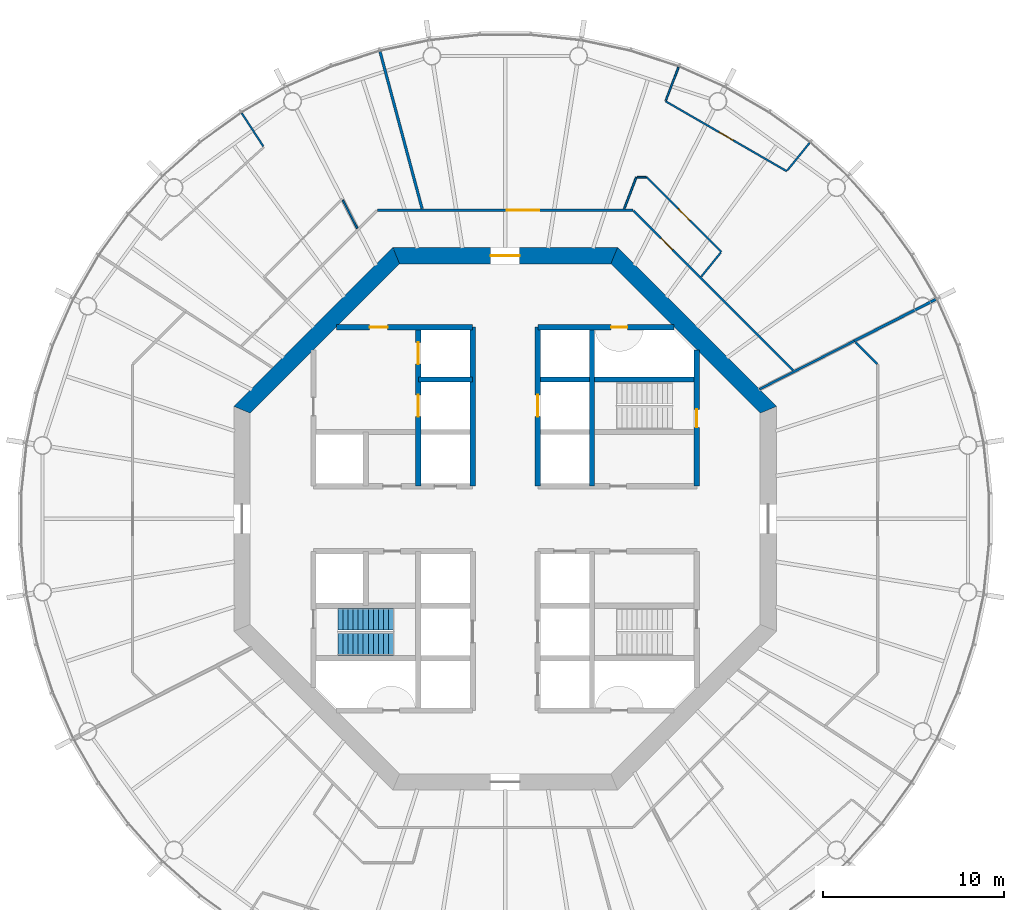
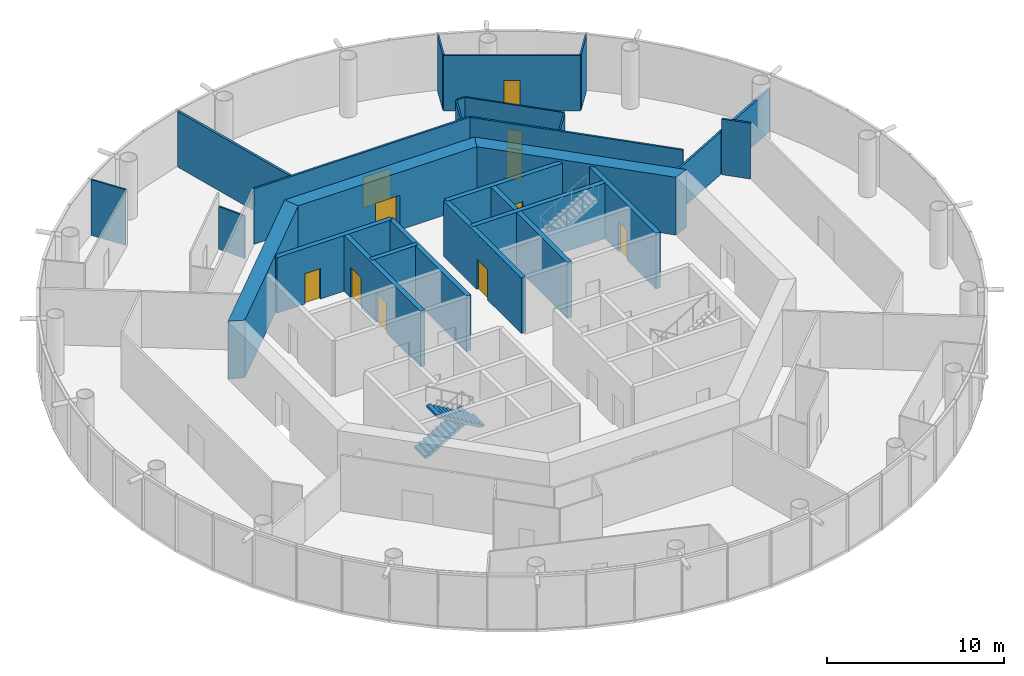
# One storey, part 5 of 13: 27 walls, 11 doors, 2 stair flights, 11 openings, 1 element without a shape of its own.
"""IFC4 building model written with IfcOpenShell, lengths in metres."""

from ifc_helpers import new_model, si_unit, direction, frame, frame_2d, origin, place, context, subcontext, project, spatial, polyline, rectangle, outline, extrude, material, layer, layer_set, type_object, element, fill, aggregate, save


model = new_model("IFC4")

# Units and contexts
model_context = context("Model", 3, precision=1e-05, world=origin(), true_north=direction((0.0, 1.0)))
body_context = subcontext(model_context, "Body", "Model", "MODEL_VIEW")
ifc_project = project(units=[si_unit("LENGTHUNIT", "METRE"), si_unit("AREAUNIT", "SQUARE_METRE"), si_unit("VOLUMEUNIT", "CUBIC_METRE"), si_unit("PLANEANGLEUNIT", "RADIAN"), si_unit("MASSUNIT", "GRAM", prefix="KILO")], contexts=[model_context])

# Site, building, storey
site_placement = place(None, origin())
site = spatial("IfcSite", under=ifc_project, at=site_placement, CompositionType="ELEMENT")
building_placement = place(site_placement, origin())
building = spatial("IfcBuilding", under=site, at=building_placement, Name="Entoto Ring Tower", CompositionType="ELEMENT")
storey_placement = place(building_placement, frame((0.0, 0.0, 226.0)))
storey = spatial("IfcBuildingStorey", under=building, at=storey_placement, Name="L52", CompositionType="ELEMENT", Elevation=226.0)

# Wall, opening, door
ifc_material_1 = material(Name="Concrete C40/50", Category="concrete")
ifc_layer_1 = layer(ifc_material_1, 0.300048828125)
ifc_layer_set_1 = layer_set([ifc_layer_1], Name="Concrete C40/50")
wall_type_1 = type_object("IfcWallType", Name="Core enclosure wall 300 mm reinforced concrete", PredefinedType="SOLIDWALL", material=ifc_layer_set_1)
wall_1_placement = place(storey_placement, frame((100.60009765625, 81.800048828125, 0.0), z_axis=(0.0, 0.0, 1.0), x_axis=(0.0, 1.0, 0.0)))
wall_1 = element("IfcWall", 1, at=wall_1_placement, inside=storey, type_object=wall_type_1, Name="wall-L52-002", PredefinedType="SOLIDWALL", context=body_context, shape_type="SweptSolid", body=[
    extrude(rectangle(XDim=7.540283203125, YDim=0.300048828125, at=frame_2d((3.77001953125, 0.0))), origin(), (0.0, 0.0, 1.0), 3.85009765625),
])
opening_1_placement = place(wall_1_placement, frame((3.25, 0.0, 0.0)))
opening_1 = element("IfcOpeningElement", 2, at=opening_1_placement, cuts=wall_1, Name="Opening K-52", PredefinedType="OPENING", context=body_context, shape_type="SweptSolid", body=[
    extrude(rectangle(XDim=1.0, YDim=2.10009765625, at=frame_2d((0.5, 1.050048828125))), frame((0.0, 0.16015625, 0.0), z_axis=(0.0, -1.0, 0.0), x_axis=(1.0, 0.0, 0.0)), (0.0, 0.0, 1.0), 0.320068359375),
])
ifc_material_2 = material(Name="Steel door leaf, fire rated", Category="steel")
ifc_layer_2 = layer(ifc_material_2, 0.050048828125)
ifc_layer_set_2 = layer_set([ifc_layer_2], Name="Steel door leaf, fire rated")
door_type_1 = type_object("IfcDoorType", Name="Fire door FD60 1000 x 2100 single leaf", OperationType="NOTDEFINED", PredefinedType="DOOR", material=ifc_layer_set_2)
door_1_placement = place(opening_1_placement, origin())
door_1 = element("IfcDoor", 3, at=door_1_placement, inside=storey, type_object=door_type_1, Name="Door K-52", OperationType="SINGLE_SWING_LEFT", OverallHeight=2.10009765625, OverallWidth=1.0, PredefinedType="DOOR", context=body_context, shape_type="SweptSolid", body=[
    extrude(rectangle(XDim=1.0, YDim=2.10009765625, at=frame_2d((0.5, 1.050048828125))), frame((0.0, 0.02490234375, 0.0), z_axis=(0.0, -1.0, 0.0), x_axis=(1.0, 0.0, 0.0)), (0.0, 0.0, 1.0), 0.050048828125),
])
fill(opening_1, door_1)

# Wall
wall_2_placement = place(storey_placement, frame((94.800048828125, 81.800048828125, 0.0), z_axis=(0.0, 0.0, 1.0), x_axis=(0.0, 1.0, 0.0)))
element("IfcWall", 4, at=wall_2_placement, inside=storey, type_object=wall_type_1, Name="wall-L52-004", PredefinedType="SOLIDWALL", context=body_context, shape_type="SweptSolid", body=[
    extrude(rectangle(XDim=8.800048828125, YDim=0.300048828125, at=frame_2d((4.39990234375, 0.0))), origin(), (0.0, 0.0, 1.0), 3.85009765625),
])

# Wall, opening, door
wall_3_placement = place(storey_placement, frame((91.800048828125, 81.800048828125, 0.0), z_axis=(0.0, 0.0, 1.0), x_axis=(0.0, 1.0, 0.0)))
wall_3 = element("IfcWall", 5, at=wall_3_placement, inside=storey, type_object=wall_type_1, Name="wall-L52-006", PredefinedType="SOLIDWALL", context=body_context, shape_type="SweptSolid", body=[
    extrude(rectangle(XDim=8.800048828125, YDim=0.300048828125, at=frame_2d((4.39990234375, 0.0))), origin(), (0.0, 0.0, 1.0), 3.85009765625),
])
opening_2_placement = place(wall_3_placement, frame((3.85009765625, 0.0, 0.0)))
opening_2 = element("IfcOpeningElement", 6, at=opening_2_placement, cuts=wall_3, Name="Opening LD", PredefinedType="OPENING", context=body_context, shape_type="SweptSolid", body=[
    extrude(rectangle(XDim=1.199951171875, YDim=2.10009765625, at=frame_2d((0.60009765625, 1.050048828125))), frame((0.0, 0.16015625, 0.0), z_axis=(0.0, -1.0, 0.0), x_axis=(1.0, 0.0, 0.0)), (0.0, 0.0, 1.0), 0.320068359375),
])
ifc_material_3 = material(Name="Steel and glass door leaf", Category="steel")
ifc_layer_3 = layer(ifc_material_3, 0.050048828125)
ifc_layer_set_3 = layer_set([ifc_layer_3], Name="Steel and glass door leaf")
door_type_2 = type_object("IfcDoorType", Name="Landing door 1200 x 2100 sliding", OperationType="DOUBLE_DOOR_SLIDING", PredefinedType="DOOR", material=ifc_layer_set_3)
door_2_placement = place(opening_2_placement, origin())
door_2 = element("IfcDoor", 7, at=door_2_placement, inside=storey, type_object=door_type_2, Name="Landing door LB1-MR", OperationType="SLIDING_TO_RIGHT", OverallHeight=2.10009765625, OverallWidth=1.199951171875, PredefinedType="DOOR", context=body_context, shape_type="SweptSolid", body=[
    extrude(rectangle(XDim=1.199951171875, YDim=2.10009765625, at=frame_2d((0.60009765625, 1.050048828125))), frame((0.0, 0.02490234375, 0.0), z_axis=(0.0, -1.0, 0.0), x_axis=(1.0, 0.0, 0.0)), (0.0, 0.0, 1.0), 0.050048828125),
])
fill(opening_2, door_2)

# Wall
wall_4_placement = place(storey_placement, frame((88.199951171875, 81.800048828125, 0.0), z_axis=(0.0, 0.0, 1.0), x_axis=(0.0, 1.0, 0.0)))
element("IfcWall", 8, at=wall_4_placement, inside=storey, type_object=wall_type_1, Name="wall-L52-008", PredefinedType="SOLIDWALL", context=body_context, shape_type="SweptSolid", body=[
    extrude(rectangle(XDim=8.800048828125, YDim=0.300048828125, at=frame_2d((4.39990234375, 0.0))), origin(), (0.0, 0.0, 1.0), 3.85009765625),
])

# Wall, openings, doors
wall_5_placement = place(storey_placement, frame((85.199951171875, 81.800048828125, 0.0), z_axis=(0.0, 0.0, 1.0), x_axis=(0.0, 1.0, 0.0)))
wall_5 = element("IfcWall", 9, at=wall_5_placement, inside=storey, type_object=wall_type_1, Name="wall-L52-010", PredefinedType="SOLIDWALL", context=body_context, shape_type="SweptSolid", body=[
    extrude(rectangle(XDim=8.800048828125, YDim=0.300048828125, at=frame_2d((4.39990234375, 0.0))), origin(), (0.0, 0.0, 1.0), 3.85009765625),
])
opening_3_placement = place(wall_5_placement, frame((3.85009765625, 0.0, 0.0)))
opening_3 = element("IfcOpeningElement", 10, at=opening_3_placement, cuts=wall_5, Name="Opening LD", PredefinedType="OPENING", context=body_context, shape_type="SweptSolid", body=[
    extrude(rectangle(XDim=1.199951171875, YDim=2.10009765625, at=frame_2d((0.60009765625, 1.050048828125))), frame((0.0, 0.16015625, 0.0), z_axis=(0.0, -1.0, 0.0), x_axis=(1.0, 0.0, 0.0)), (0.0, 0.0, 1.0), 0.320068359375),
])
opening_4_placement = place(wall_5_placement, frame((6.75, 0.0, 0.0)))
opening_4 = element("IfcOpeningElement", 11, at=opening_4_placement, cuts=wall_5, Name="Opening LD", PredefinedType="OPENING", context=body_context, shape_type="SweptSolid", body=[
    extrude(rectangle(XDim=1.199951171875, YDim=2.10009765625, at=frame_2d((0.60009765625, 1.050048828125))), frame((0.0, 0.16015625, 0.0), z_axis=(0.0, -1.0, 0.0), x_axis=(1.0, 0.0, 0.0)), (0.0, 0.0, 1.0), 0.320068359375),
])
door_3_placement = place(opening_3_placement, origin())
door_3 = element("IfcDoor", 12, at=door_3_placement, inside=storey, type_object=door_type_2, Name="Landing door FF1", OperationType="SLIDING_TO_RIGHT", OverallHeight=2.10009765625, OverallWidth=1.199951171875, PredefinedType="DOOR", context=body_context, shape_type="SweptSolid", body=[
    extrude(rectangle(XDim=1.199951171875, YDim=2.10009765625, at=frame_2d((0.60009765625, 1.050048828125))), frame((0.0, 0.02490234375, 0.0), z_axis=(0.0, -1.0, 0.0), x_axis=(1.0, 0.0, 0.0)), (0.0, 0.0, 1.0), 0.050048828125),
])
fill(opening_3, door_3)
door_4_placement = place(opening_4_placement, origin())
door_4 = element("IfcDoor", 13, at=door_4_placement, inside=storey, type_object=door_type_2, Name="Landing door FF2", OperationType="SLIDING_TO_RIGHT", OverallHeight=2.10009765625, OverallWidth=1.199951171875, PredefinedType="DOOR", context=body_context, shape_type="SweptSolid", body=[
    extrude(rectangle(XDim=1.199951171875, YDim=2.10009765625, at=frame_2d((0.60009765625, 1.050048828125))), frame((0.0, 0.02490234375, 0.0), z_axis=(0.0, -1.0, 0.0), x_axis=(1.0, 0.0, 0.0)), (0.0, 0.0, 1.0), 0.050048828125),
])
fill(opening_4, door_4)

# Walls
wall_6_placement = place(storey_placement, frame((85.199951171875, 87.699951171875, 0.0), z_axis=(0.0, 0.0, 1.0), x_axis=(1.0, 0.0, 0.0)))
element("IfcWall", 14, at=wall_6_placement, inside=storey, type_object=wall_type_1, Name="wall-L52-027", PredefinedType="SOLIDWALL", context=body_context, shape_type="SweptSolid", body=[
    extrude(rectangle(XDim=3.0, YDim=0.300048828125, at=frame_2d((1.5, 0.0))), origin(), (0.0, 0.0, 1.0), 3.85009765625),
])
wall_7_placement = place(storey_placement, frame((91.800048828125, 87.699951171875, 0.0), z_axis=(0.0, 0.0, 1.0), x_axis=(1.0, 0.0, 0.0)))
element("IfcWall", 15, at=wall_7_placement, inside=storey, type_object=wall_type_1, Name="wall-L52-028", PredefinedType="SOLIDWALL", context=body_context, shape_type="SweptSolid", body=[
    extrude(rectangle(XDim=8.800048828125, YDim=0.300048828125, at=frame_2d((4.39990234375, 0.0))), origin(), (0.0, 0.0, 1.0), 3.85009765625),
])

# Wall, opening, door
wall_8_placement = place(storey_placement, frame((80.65966796875, 90.60009765625, 0.0), z_axis=(0.0, 0.0, 1.0), x_axis=(1.0, 0.0, 0.0)))
wall_8 = element("IfcWall", 16, at=wall_8_placement, inside=storey, type_object=wall_type_1, Name="wall-L52-029", PredefinedType="SOLIDWALL", context=body_context, shape_type="SweptSolid", body=[
    extrude(rectangle(XDim=7.540283203125, YDim=0.300048828125, at=frame_2d((3.77001953125, 0.0))), origin(), (0.0, 0.0, 1.0), 3.85009765625),
])
opening_5_placement = place(wall_8_placement, frame((1.84033203125, 0.0, 0.0)))
opening_5 = element("IfcOpeningElement", 17, at=opening_5_placement, cuts=wall_8, Name="Opening K-22", PredefinedType="OPENING", context=body_context, shape_type="SweptSolid", body=[
    extrude(rectangle(XDim=1.0, YDim=2.10009765625, at=frame_2d((0.5, 1.050048828125))), frame((0.0, 0.16015625, 0.0), z_axis=(0.0, -1.0, 0.0), x_axis=(1.0, 0.0, 0.0)), (0.0, 0.0, 1.0), 0.320068359375),
])
door_5_placement = place(opening_5_placement, frame((1.0, 0.0, 0.0), z_axis=(0.0, 0.0, 1.0), x_axis=(-1.0, 0.0, 0.0)))
door_5 = element("IfcDoor", 18, at=door_5_placement, inside=storey, type_object=door_type_1, Name="Door K-22", OperationType="SINGLE_SWING_LEFT", OverallHeight=2.10009765625, OverallWidth=1.0, PredefinedType="DOOR", context=body_context, shape_type="SweptSolid", body=[
    extrude(rectangle(XDim=1.0, YDim=2.10009765625, at=frame_2d((0.5, 1.050048828125))), frame((0.0, 0.02490234375, 0.0), z_axis=(0.0, -1.0, 0.0), x_axis=(1.0, 0.0, 0.0)), (0.0, 0.0, 1.0), 0.050048828125),
])
fill(opening_5, door_5)

wall_9_placement = place(storey_placement, frame((91.800048828125, 90.60009765625, 0.0), z_axis=(0.0, 0.0, 1.0), x_axis=(1.0, 0.0, 0.0)))
wall_9 = element("IfcWall", 19, at=wall_9_placement, inside=storey, type_object=wall_type_1, Name="wall-L52-030", PredefinedType="SOLIDWALL", context=body_context, shape_type="SweptSolid", body=[
    extrude(rectangle(XDim=7.540283203125, YDim=0.300048828125, at=frame_2d((3.77001953125, 0.0))), origin(), (0.0, 0.0, 1.0), 3.85009765625),
])
opening_6_placement = place(wall_9_placement, frame((4.050048828125, 0.0, 0.0)))
opening_6 = element("IfcOpeningElement", 20, at=opening_6_placement, cuts=wall_9, Name="Opening K-60", PredefinedType="OPENING", context=body_context, shape_type="SweptSolid", body=[
    extrude(rectangle(XDim=0.89990234375, YDim=2.10009765625, at=frame_2d((0.449951171875, 1.050048828125))), frame((0.0, 0.16015625, 0.0), z_axis=(0.0, -1.0, 0.0), x_axis=(1.0, 0.0, 0.0)), (0.0, 0.0, 1.0), 0.320068359375),
])
ifc_material_4 = material(Name="Steel door leaf, fire rated", Category="steel")
ifc_layer_4 = layer(ifc_material_4, 0.050048828125)
ifc_layer_set_4 = layer_set([ifc_layer_4], Name="Steel door leaf, fire rated")
door_type_3 = type_object("IfcDoorType", Name="Riser door FD60 900 x 2100 single leaf", OperationType="NOTDEFINED", PredefinedType="DOOR", material=ifc_layer_set_4)
door_6_placement = place(opening_6_placement, frame((0.89990234375, 0.0, 0.0), z_axis=(0.0, 0.0, 1.0), x_axis=(-1.0, 0.0, 0.0)))
door_6 = element("IfcDoor", 21, at=door_6_placement, inside=storey, type_object=door_type_3, Name="Door K-60", OperationType="SINGLE_SWING_RIGHT", OverallHeight=2.10009765625, OverallWidth=0.89990234375, PredefinedType="DOOR", context=body_context, shape_type="SweptSolid", body=[
    extrude(rectangle(XDim=0.89990234375, YDim=2.10009765625, at=frame_2d((0.449951171875, 1.050048828125))), frame((0.0, 0.02490234375, 0.0), z_axis=(0.0, -1.0, 0.0), x_axis=(1.0, 0.0, 0.0)), (0.0, 0.0, 1.0), 0.050048828125),
])
fill(opening_6, door_6)

# Wall
ifc_material_5 = material(Name="Concrete C50/60", Category="concrete")
ifc_layer_5 = layer(ifc_material_5, 0.89990234375)
ifc_layer_set_5 = layer_set([ifc_layer_5], Name="Concrete C50/60")
wall_type_2 = type_object("IfcWallType", Name="Core shear wall 900 mm reinforced concrete C50/60", PredefinedType="SHEAR", material=ifc_layer_set_5)
wall_10_placement = place(storey_placement, frame((104.550048828125, 86.02685546875, 0.0), z_axis=(0.0, 0.0, 1.0), x_axis=(-0.707106781187, 0.707106781187, 0.0)))
element("IfcWall", 22, at=wall_10_placement, inside=storey, type_object=wall_type_2, Name="wall-L52-core-1", PredefinedType="SHEAR", context=body_context, shape_type="SweptSolid", body=[
    extrude(outline(polyline([(-0.186279296875, -0.449951171875), (12.239990234375, -0.449951171875), (11.867431640625, 0.449951171875), (0.186279296875, 0.449951171875), (-0.186279296875, -0.449951171875)])), origin(), (0.0, 0.0, 1.0), 4.0),
])

# Wall, opening, door
wall_11_placement = place(storey_placement, frame((96.02685546875, 94.550048828125, 0.0), z_axis=(0.0, 0.0, 1.0), x_axis=(-1.0, 0.0, 0.0)))
wall_11 = element("IfcWall", 23, at=wall_11_placement, inside=storey, type_object=wall_type_2, Name="wall-L52-core-2", PredefinedType="SHEAR", context=body_context, shape_type="SweptSolid", body=[
    extrude(outline(polyline([(-0.186279296875, -0.449951171875), (12.239990234375, -0.449951171875), (11.867431640625, 0.449951171875), (0.186279296875, 0.449951171875), (-0.186279296875, -0.449951171875)])), origin(), (0.0, 0.0, 1.0), 4.0),
])
opening_7_placement = place(wall_11_placement, frame((5.226806640625, 0.0, 0.0)))
opening_7 = element("IfcOpeningElement", 24, at=opening_7_placement, cuts=wall_11, Name="Opening K-02", PredefinedType="OPENING", context=body_context, shape_type="SweptSolid", body=[
    extrude(rectangle(XDim=1.60009765625, YDim=2.39990234375, at=frame_2d((0.800048828125, 1.199951171875))), frame((0.0, 0.4599609375, 0.0), z_axis=(0.0, -1.0, 0.0), x_axis=(1.0, 0.0, 0.0)), (0.0, 0.0, 1.0), 0.919921875),
])
ifc_material_6 = material(Name="Steel door leaf, fire rated", Category="steel")
ifc_layer_6 = layer(ifc_material_6, 0.050048828125)
ifc_layer_set_6 = layer_set([ifc_layer_6], Name="Steel door leaf, fire rated")
door_type_4 = type_object("IfcDoorType", Name="Entrance door FD60 1600 x 2400 double leaf", OperationType="DOUBLE_DOOR_SINGLE_SWING", PredefinedType="DOOR", material=ifc_layer_set_6)
door_7_placement = place(opening_7_placement, origin())
door_7 = element("IfcDoor", 25, at=door_7_placement, inside=storey, type_object=door_type_4, Name="Entrance door K-02", OperationType="DOUBLE_DOOR_SINGLE_SWING", OverallHeight=2.39990234375, OverallWidth=1.60009765625, PredefinedType="DOOR", context=body_context, shape_type="SweptSolid", body=[
    extrude(rectangle(XDim=1.60009765625, YDim=2.39990234375, at=frame_2d((0.800048828125, 1.199951171875))), frame((0.0, 0.02490234375, 0.0), z_axis=(0.0, -1.0, 0.0), x_axis=(1.0, 0.0, 0.0)), (0.0, 0.0, 1.0), 0.050048828125),
])
fill(opening_7, door_7)

# Wall
wall_12_placement = place(storey_placement, frame((83.97314453125, 94.550048828125, 0.0), z_axis=(0.0, 0.0, 1.0), x_axis=(-0.707106781187, -0.707106781187, 0.0)))
element("IfcWall", 26, at=wall_12_placement, inside=storey, type_object=wall_type_2, Name="wall-L52-core-3", PredefinedType="SHEAR", context=body_context, shape_type="SweptSolid", body=[
    extrude(outline(polyline([(-0.186279296875, -0.449951171875), (12.239990234375, -0.449951171875), (11.867431640625, 0.449951171875), (0.186279296875, 0.449951171875), (-0.186279296875, -0.449951171875)])), origin(), (0.0, 0.0, 1.0), 4.0),
])

# Wall, opening, door
ifc_material_7 = material(Name="Fire-resisting plasterboard on steel studs", Category="steel")
ifc_layer_7 = layer(ifc_material_7, 0.125)
ifc_layer_set_7 = layer_set([ifc_layer_7], Name="Fire-resisting plasterboard on steel studs")
wall_type_3 = type_object("IfcWallType", Name="Corridor wall 125 mm one-hour plasterboard on steel studs", PredefinedType="PARTITIONING", material=ifc_layer_set_7)
wall_13_placement = place(storey_placement, frame((82.9326171875, 97.0625, 0.0), z_axis=(0.0, 0.0, 1.0), x_axis=(1.0, 0.0, 0.0)))
wall_13 = element("IfcWall", 27, at=wall_13_placement, inside=storey, type_object=wall_type_3, Name="partition-L52-004", PredefinedType="PARTITIONING", context=body_context, shape_type="SweptSolid", body=[
    extrude(rectangle(XDim=14.134765625, YDim=0.125, at=frame_2d((7.0673828125, 0.0))), origin(), (0.0, 0.0, 1.0), 3.85009765625),
])
opening_8_placement = place(wall_13_placement, frame((7.156494140625, 0.0, 0.0)))
opening_8 = element("IfcOpeningElement", 28, at=opening_8_placement, cuts=wall_13, Name="Opening A22-D03", PredefinedType="OPENING", context=body_context, shape_type="SweptSolid", body=[
    extrude(rectangle(XDim=1.800048828125, YDim=2.10009765625, at=frame_2d((0.89990234375, 1.050048828125))), frame((0.0, 0.072509765625, 0.0), z_axis=(0.0, -1.0, 0.0), x_axis=(1.0, 0.0, 0.0)), (0.0, 0.0, 1.0), 0.14501953125),
])
ifc_material_8 = material(Name="Fire-resisting timber door set", Category="wood")
door_type_5 = type_object("IfcDoorType", Name="Door 1800 x 2100 double leaf FD30S fire door", OperationType="DOUBLE_DOOR_SINGLE_SWING", PredefinedType="DOOR", material=ifc_material_8)
door_8_placement = place(opening_8_placement, origin())
door_8 = element("IfcDoor", 29, at=door_8_placement, inside=storey, type_object=door_type_5, Name="Door A22-D03", OperationType="DOUBLE_DOOR_SINGLE_SWING", OverallHeight=2.10009765625, OverallWidth=1.800048828125, PredefinedType="DOOR", context=body_context, shape_type="SweptSolid", body=[
    extrude(rectangle(XDim=1.800048828125, YDim=2.10009765625, at=frame_2d((0.89990234375, 1.050048828125))), frame((0.0, 0.02490234375, 0.0), z_axis=(0.0, -1.0, 0.0), x_axis=(1.0, 0.0, 0.0)), (0.0, 0.0, 1.0), 0.050048828125),
])
fill(opening_8, door_8)

wall_14_placement = place(storey_placement, frame((105.924560546875, 88.20556640625, 0.0), z_axis=(0.0, 0.0, 1.0), x_axis=(-0.707106781187, 0.707106781187, 0.0)))
wall_14 = element("IfcWall", 30, at=wall_14_placement, inside=storey, type_object=wall_type_3, Name="partition-L52-006", PredefinedType="PARTITIONING", context=body_context, shape_type="SweptSolid", body=[
    extrude(rectangle(XDim=12.481689453125, YDim=0.125, at=frame_2d((6.24072265625, 0.0))), origin(), (0.0, 0.0, 1.0), 3.85009765625),
])
opening_9_placement = place(wall_14_placement, frame((9.4384765625, 0.0, 0.0)))
opening_9 = element("IfcOpeningElement", 31, at=opening_9_placement, cuts=wall_14, Name="Opening A22-D05", PredefinedType="OPENING", context=body_context, shape_type="SweptSolid", body=[
    extrude(rectangle(XDim=0.89990234375, YDim=2.10009765625, at=frame_2d((0.449951171875, 1.050048828125))), frame((0.0, 0.072509765625, 0.0), z_axis=(0.0, -1.0, 0.0), x_axis=(1.0, 0.0, 0.0)), (0.0, 0.0, 1.0), 0.14501953125),
])
ifc_material_9 = material(Name="Fire-resisting timber door set", Category="wood")
door_type_6 = type_object("IfcDoorType", Name="Door 1000 x 2100 single leaf FD30S fire door", OperationType="NOTDEFINED", PredefinedType="DOOR", material=ifc_material_9)
door_9_placement = place(opening_9_placement, frame((0.89990234375, 0.0, 0.0), z_axis=(0.0, 0.0, 1.0), x_axis=(-1.0, 0.0, 0.0)))
door_9 = element("IfcDoor", 32, at=door_9_placement, inside=storey, type_object=door_type_6, Name="Door A22-D05", OperationType="SINGLE_SWING_RIGHT", OverallHeight=2.10009765625, OverallWidth=0.89990234375, PredefinedType="DOOR", context=body_context, shape_type="SweptSolid", body=[
    extrude(rectangle(XDim=0.89990234375, YDim=2.10009765625, at=frame_2d((0.449951171875, 1.050048828125))), frame((0.0, 0.02490234375, 0.0), z_axis=(0.0, -1.0, 0.0), x_axis=(1.0, 0.0, 0.0)), (0.0, 0.0, 1.0), 0.050048828125),
])
fill(opening_9, door_9)

# Walls
wall_15_placement = place(storey_placement, frame((110.56884765625, 88.56396484375, 0.0), z_axis=(0.0, 0.0, 1.0), x_axis=(-0.707106781187, 0.707106781187, 0.0)))
element("IfcWall", 33, at=wall_15_placement, inside=storey, type_object=wall_type_3, Name="partition-L52-016", PredefinedType="PARTITIONING", context=body_context, shape_type="SweptSolid", body=[
    extrude(rectangle(XDim=1.6962890625, YDim=0.125, at=frame_2d((0.84814453125, 0.0))), origin(), (0.0, 0.0, 1.0), 3.85009765625),
])
ifc_material_10 = material(Name="Fire-resisting plasterboard on steel studs", Category="steel")
ifc_layer_8 = layer(ifc_material_10, 0.125)
ifc_layer_set_8 = layer_set([ifc_layer_8], Name="Fire-resisting plasterboard on steel studs")
wall_type_4 = type_object("IfcWallType", Name="Corridor wall 125 mm one-hour plasterboard on steel studs, 2950 mm high", PredefinedType="PARTITIONING", material=ifc_layer_set_8)
wall_16_placement = place(storey_placement, frame((104.052978515625, 87.160400390625, 0.0), z_axis=(0.0, 0.0, 1.0), x_axis=(0.891009750901, 0.453984166905, 0.0)))
element("IfcWall", 34, at=wall_16_placement, inside=storey, type_object=wall_type_4, Name="partition-L52-009", PredefinedType="PARTITIONING", context=body_context, shape_type="SweptSolid", body=[
    extrude(rectangle(XDim=5.88818359375, YDim=0.125, at=frame_2d((2.944091796875, 0.0))), origin(), (0.0, 0.0, 1.0), 2.949951171875),
])

# Wall, opening, door
ifc_material_11 = material(Name="Plasterboard on steel studs", Category="steel")
ifc_layer_9 = layer(ifc_material_11, 0.10009765625)
ifc_layer_set_9 = layer_set([ifc_layer_9], Name="Plasterboard on steel studs")
wall_type_5 = type_object("IfcWallType", Name="Partition 100 mm plasterboard on steel studs", PredefinedType="PARTITIONING", material=ifc_layer_set_9)
wall_17_placement = place(storey_placement, frame((105.56298828125, 99.21875, 0.0), z_axis=(0.0, 0.0, 1.0), x_axis=(-0.866024795611, 0.500001053386, 0.0)))
wall_17 = element("IfcWall", 35, at=wall_17_placement, inside=storey, type_object=wall_type_5, Name="partition-L52-024", PredefinedType="PARTITIONING", context=body_context, shape_type="SweptSolid", body=[
    extrude(rectangle(XDim=7.7373046875, YDim=0.10009765625, at=frame_2d((3.86865234375, 0.0))), origin(), (0.0, 0.0, 1.0), 3.85009765625),
])
opening_10_placement = place(wall_17_placement, frame((3.418701171875, 0.0, 0.0)))
opening_10 = element("IfcOpeningElement", 36, at=opening_10_placement, cuts=wall_17, Name="Opening A22-D06", PredefinedType="OPENING", context=body_context, shape_type="SweptSolid", body=[
    extrude(rectangle(XDim=0.89990234375, YDim=2.10009765625, at=frame_2d((0.449951171875, 1.050048828125))), frame((0.0, 0.06005859375, 0.0), z_axis=(0.0, -1.0, 0.0), x_axis=(1.0, 0.0, 0.0)), (0.0, 0.0, 1.0), 0.1201171875),
])
ifc_material_12 = material(Name="Veneered timber door leaf in timber frame", Category="wood")
door_type_7 = type_object("IfcDoorType", Name="Door 900 x 2100 single leaf timber veneer", OperationType="NOTDEFINED", PredefinedType="DOOR", material=ifc_material_12)
door_10_placement = place(opening_10_placement, frame((0.89990234375, 0.0, 0.0), z_axis=(0.0, 0.0, 1.0), x_axis=(-1.0, 0.0, 0.0)))
door_10 = element("IfcDoor", 37, at=door_10_placement, inside=storey, type_object=door_type_7, Name="Door A22-D06", OperationType="SINGLE_SWING_RIGHT", OverallHeight=2.10009765625, OverallWidth=0.89990234375, PredefinedType="DOOR", context=body_context, shape_type="SweptSolid", body=[
    extrude(rectangle(XDim=0.89990234375, YDim=2.10009765625, at=frame_2d((0.449951171875, 1.050048828125))), frame((0.0, 0.02490234375, 0.0), z_axis=(0.0, -1.0, 0.0), x_axis=(1.0, 0.0, 0.0)), (0.0, 0.0, 1.0), 0.050048828125),
])
fill(opening_10, door_10)

wall_18_placement = place(storey_placement, frame((101.948486328125, 94.75537109375, 0.0), z_axis=(0.0, 0.0, 1.0), x_axis=(-0.707106781187, 0.707106781187, 0.0)))
wall_18 = element("IfcWall", 38, at=wall_18_placement, inside=storey, type_object=wall_type_5, Name="partition-L52-028", PredefinedType="PARTITIONING", context=body_context, shape_type="SweptSolid", body=[
    extrude(rectangle(XDim=5.836669921875, YDim=0.10009765625, at=frame_2d((2.91845703125, 0.0))), origin(), (0.0, 0.0, 1.0), 3.85009765625),
])
opening_11_placement = place(wall_18_placement, frame((2.468505859375, 0.0, 0.0)))
opening_11 = element("IfcOpeningElement", 39, at=opening_11_placement, cuts=wall_18, Name="Opening A22-D04", PredefinedType="OPENING", context=body_context, shape_type="SweptSolid", body=[
    extrude(rectangle(XDim=0.89990234375, YDim=2.10009765625, at=frame_2d((0.449951171875, 1.050048828125))), frame((0.0, 0.06005859375, 0.0), z_axis=(0.0, -1.0, 0.0), x_axis=(1.0, 0.0, 0.0)), (0.0, 0.0, 1.0), 0.1201171875),
])
door_11_placement = place(opening_11_placement, origin())
door_11 = element("IfcDoor", 40, at=door_11_placement, inside=storey, type_object=door_type_7, Name="Door A22-D04", OperationType="SINGLE_SWING_LEFT", OverallHeight=2.10009765625, OverallWidth=0.89990234375, PredefinedType="DOOR", context=body_context, shape_type="SweptSolid", body=[
    extrude(rectangle(XDim=0.89990234375, YDim=2.10009765625, at=frame_2d((0.449951171875, 1.050048828125))), frame((0.0, 0.02490234375, 0.0), z_axis=(0.0, -1.0, 0.0), x_axis=(1.0, 0.0, 0.0)), (0.0, 0.0, 1.0), 0.050048828125),
])
fill(opening_11, door_11)

# Walls
wall_19_placement = place(storey_placement, frame((76.62939453125, 100.5888671875, 0.0), z_axis=(0.0, 0.0, 1.0), x_axis=(-0.544655329209, 0.838659986147, 0.0)))
element("IfcWall", 41, at=wall_19_placement, inside=storey, type_object=wall_type_5, Name="partition-L52-032", PredefinedType="PARTITIONING", context=body_context, shape_type="SweptSolid", body=[
    extrude(rectangle(XDim=2.190673828125, YDim=0.10009765625, at=frame_2d((1.09521484375, 0.0))), origin(), (0.0, 0.0, 1.0), 3.85009765625),
])
wall_20_placement = place(storey_placement, frame((98.880126953125, 103.133544921875, 0.0), z_axis=(0.0, 0.0, 1.0), x_axis=(0.358386544472, 0.933573288361, 0.0)))
element("IfcWall", 42, at=wall_20_placement, inside=storey, type_object=wall_type_5, Name="partition-L52-040", PredefinedType="PARTITIONING", context=body_context, shape_type="SweptSolid", body=[
    extrude(rectangle(XDim=1.96044921875, YDim=0.10009765625, at=frame_2d((0.980224609375, 0.0))), origin(), (0.0, 0.0, 1.0), 3.85009765625),
])
wall_21_placement = place(storey_placement, frame((105.593994140625, 99.257080078125, 0.0), z_axis=(0.0, 0.0, 1.0), x_axis=(0.629269861467, 0.777186876786, 0.0)))
element("IfcWall", 43, at=wall_21_placement, inside=storey, type_object=wall_type_5, Name="partition-L52-041", PredefinedType="PARTITIONING", context=body_context, shape_type="SweptSolid", body=[
    extrude(rectangle(XDim=1.9609375, YDim=0.10009765625, at=frame_2d((0.98046875, 0.0))), origin(), (0.0, 0.0, 1.0), 3.85009765625),
])
wall_22_placement = place(storey_placement, frame((96.58056640625, 97.142822265625, 0.0), z_axis=(0.0, 0.0, 1.0), x_axis=(0.358320548369, 0.933598620723, 0.0)))
element("IfcWall", 44, at=wall_22_placement, inside=storey, type_object=wall_type_5, Name="partition-L52-044", PredefinedType="PARTITIONING", context=body_context, shape_type="SweptSolid", body=[
    extrude(rectangle(XDim=1.863525390625, YDim=0.10009765625, at=frame_2d((0.931640625, 0.0))), origin(), (0.0, 0.0, 1.0), 3.85009765625),
])
wall_23_placement = place(storey_placement, frame((100.83984375, 93.385986328125, 0.0), z_axis=(0.0, 0.0, 1.0), x_axis=(0.629222838728, 0.777224947633, 0.0)))
element("IfcWall", 45, at=wall_23_placement, inside=storey, type_object=wall_type_5, Name="partition-L52-046", PredefinedType="PARTITIONING", context=body_context, shape_type="SweptSolid", body=[
    extrude(rectangle(XDim=1.712158203125, YDim=0.10009765625, at=frame_2d((0.85595703125, 0.0))), origin(), (0.0, 0.0, 1.0), 3.85009765625),
])
wall_24_placement = place(storey_placement, frame((97.294921875, 98.882568359375, 0.0), z_axis=(0.0, 0.0, 1.0), x_axis=(1.0, 0.0, 0.0)))
element("IfcWall", 46, at=wall_24_placement, inside=storey, type_object=wall_type_5, Name="partition-L52-048", PredefinedType="PARTITIONING", context=body_context, shape_type="SweptSolid", body=[
    extrude(rectangle(XDim=0.4912109375, YDim=0.10009765625, at=frame_2d((0.24560546875, 0.0))), origin(), (0.0, 0.0, 1.0), 3.85009765625),
])
ifc_material_13 = material(Name="Plasterboard on steel studs", Category="steel")
ifc_layer_10 = layer(ifc_material_13, 0.10009765625)
ifc_layer_set_10 = layer_set([ifc_layer_10], Name="Plasterboard on steel studs")
wall_type_6 = type_object("IfcWallType", Name="Partition 100 mm plasterboard on steel studs, 2950 mm high", PredefinedType="PARTITIONING", material=ifc_layer_set_10)
wall_25_placement = place(storey_placement, frame((81.818115234375, 96.05810546875, 0.0), z_axis=(0.0, 0.0, 1.0), x_axis=(-0.454109401768, 0.890945930585, 0.0)))
element("IfcWall", 47, at=wall_25_placement, inside=storey, type_object=wall_type_6, Name="partition-L52-045", PredefinedType="PARTITIONING", context=body_context, shape_type="SweptSolid", body=[
    extrude(rectangle(XDim=1.752685546875, YDim=0.10009765625, at=frame_2d((0.87646484375, 0.0))), origin(), (0.0, 0.0, 1.0), 2.949951171875),
])
ifc_material_14 = material(Name="Fire-resisting acoustic plasterboard on steel studs", Category="steel")
ifc_layer_11 = layer(ifc_material_14, 0.14990234375)
ifc_layer_set_11 = layer_set([ifc_layer_11], Name="Fire-resisting acoustic plasterboard on steel studs")
wall_type_7 = type_object("IfcWallType", Name="Party wall 150 mm one-hour acoustic plasterboard on steel studs", PredefinedType="PARTITIONING", material=ifc_layer_set_11)
wall_26_placement = place(storey_placement, frame((85.40625, 97.144287109375, 0.0), z_axis=(0.0, 0.0, 1.0), x_axis=(-0.258831999562, 0.965922355059, 0.0)))
element("IfcWall", 48, at=wall_26_placement, inside=storey, type_object=wall_type_7, Name="partition-L52-017", PredefinedType="PARTITIONING", context=body_context, shape_type="SweptSolid", body=[
    extrude(rectangle(XDim=8.990966796875, YDim=0.14990234375, at=frame_2d((4.49560546875, 0.0))), origin(), (0.0, 0.0, 1.0), 3.85009765625),
])
ifc_material_15 = material(Name="Fire-resisting acoustic plasterboard on steel studs", Category="steel")
ifc_layer_12 = layer(ifc_material_15, 0.14990234375)
ifc_layer_set_12 = layer_set([ifc_layer_12], Name="Fire-resisting acoustic plasterboard on steel studs")
wall_type_8 = type_object("IfcWallType", Name="Party wall 150 mm one-hour acoustic plasterboard on steel studs, 2950 mm high", PredefinedType="PARTITIONING", material=ifc_layer_set_12)
wall_27_placement = place(storey_placement, frame((109.299560546875, 89.83349609375, 0.0), z_axis=(0.0, 0.0, 1.0), x_axis=(0.890998412494, 0.454006419485, 0.0)))
element("IfcWall", 49, at=wall_27_placement, inside=storey, type_object=wall_type_8, Name="partition-L52-021", PredefinedType="PARTITIONING", context=body_context, shape_type="SweptSolid", body=[
    extrude(rectangle(XDim=5.07958984375, YDim=0.14990234375, at=frame_2d((2.539794921875, 0.0))), origin(), (0.0, 0.0, 1.0), 2.949951171875),
])

# Stair, stair flights
ifc_material_16 = material(Name="Concrete C40/50", Category="concrete")
stair_type = type_object("IfcStairType", Name="Exit stair 1200 mm dog-leg reinforced concrete", PredefinedType="HALF_TURN_STAIR", material=ifc_material_16)
stair_placement = place(storey_placement, origin())
stair = element("IfcStair", 50, at=stair_placement, inside=storey, type_object=stair_type, Name="Exit stair 2", PredefinedType="HALF_TURN_STAIR")
ifc_material_17 = material(Name="Concrete C40/50", Category="concrete")
stair_flight_type = type_object("IfcStairFlightType", Name="Stair flight 1200 mm reinforced concrete", PredefinedType="STRAIGHT", material=ifc_material_17)
stair_flight_1_placement = place(storey_placement, frame((80.75, 74.449951171875, 0.0), z_axis=(0.0, 0.0, 1.0), x_axis=(1.0, 0.0, 0.0)))
stair_flight_1 = element("IfcStairFlight", 51, at=stair_flight_1_placement, type_object=stair_flight_type, Name="ST2 flight 1", NumberOfRisers=12, NumberOfTreads=11, PredefinedType="STRAIGHT", RiserHeight=0.166666667, TreadLength=0.28, context=body_context, shape_type="SweptSolid", body=[
    extrude(outline(polyline([(0.0, 0.0), (0.0, 0.166748046875), (0.280029296875, 0.166748046875), (0.280029296875, 0.333251953125), (0.56005859375, 0.333251953125), (0.56005859375, 0.5), (0.840087890625, 0.5), (0.840087890625, 0.666748046875), (1.1201171875, 0.666748046875), (1.1201171875, 0.833251953125), (1.39990234375, 0.833251953125), (1.39990234375, 1.0), (1.679931640625, 1.0), (1.679931640625, 1.166748046875), (1.9599609375, 1.166748046875), (1.9599609375, 1.333251953125), (2.239990234375, 1.333251953125), (2.239990234375, 1.5), (2.52001953125, 1.5), (2.52001953125, 1.666748046875), (2.800048828125, 1.666748046875), (2.800048828125, 1.833251953125), (3.080078125, 1.833251953125), (3.080078125, 2.0), (3.080078125, 1.658935546875), (0.29296875, 0.0), (0.0, 0.0)])), frame((0.0, 0.60009765625, 0.0), z_axis=(0.0, -1.0, 0.0), x_axis=(1.0, 0.0, 0.0)), (0.0, 0.0, 1.0), 1.199951171875),
])
stair_flight_2_placement = place(storey_placement, frame((83.830078125, 73.050048828125, 2.0), z_axis=(0.0, 0.0, 1.0), x_axis=(-1.0, 0.0, 0.0)))
stair_flight_2 = element("IfcStairFlight", 52, at=stair_flight_2_placement, type_object=stair_flight_type, Name="ST2 flight 2", NumberOfRisers=12, NumberOfTreads=11, PredefinedType="STRAIGHT", RiserHeight=0.166666667, TreadLength=0.28, context=body_context, shape_type="SweptSolid", body=[
    extrude(outline(polyline([(0.0, 0.0), (0.0, 0.166748046875), (0.280029296875, 0.166748046875), (0.280029296875, 0.333251953125), (0.56005859375, 0.333251953125), (0.56005859375, 0.5), (0.840087890625, 0.5), (0.840087890625, 0.666748046875), (1.1201171875, 0.666748046875), (1.1201171875, 0.833251953125), (1.39990234375, 0.833251953125), (1.39990234375, 1.0), (1.679931640625, 1.0), (1.679931640625, 1.166748046875), (1.9599609375, 1.166748046875), (1.9599609375, 1.333251953125), (2.239990234375, 1.333251953125), (2.239990234375, 1.5), (2.52001953125, 1.5), (2.52001953125, 1.666748046875), (2.800048828125, 1.666748046875), (2.800048828125, 1.833251953125), (3.080078125, 1.833251953125), (3.080078125, 2.0), (3.080078125, 1.658935546875), (0.29296875, 0.0), (0.0, 0.0)])), frame((0.0, 0.60009765625, 0.0), z_axis=(0.0, -1.0, 0.0), x_axis=(1.0, 0.0, 0.0)), (0.0, 0.0, 1.0), 1.199951171875),
])
aggregate(stair, [stair_flight_1, stair_flight_2])

save(model, "model.ifc")
